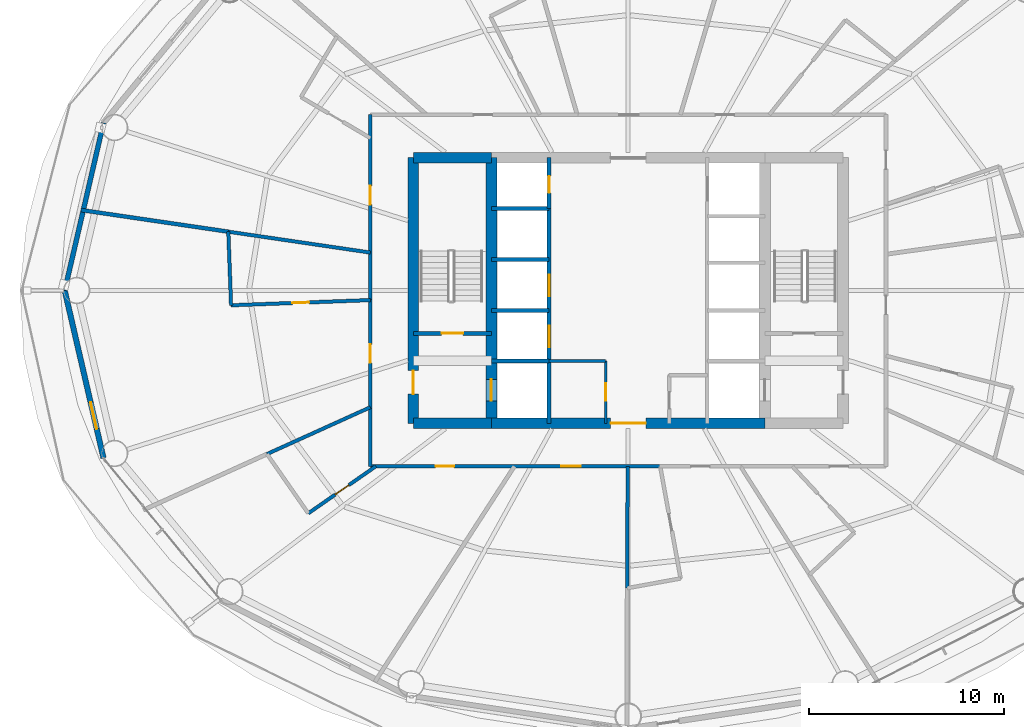
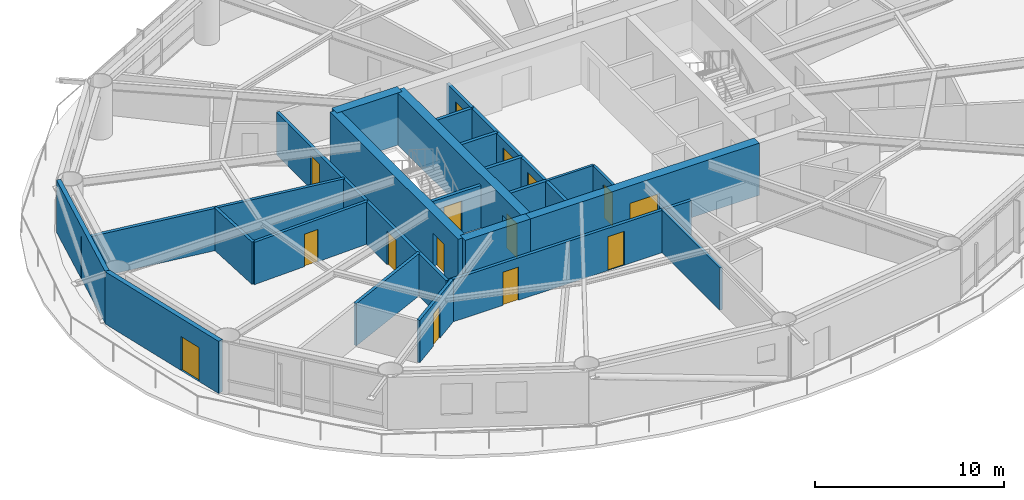
# One storey, part 18 of 24: 27 walls, 15 doors, 15 openings.
"""IFC4 building model written with IfcOpenShell, lengths in metres."""

import ifcopenshell
import ifcopenshell.guid

model = None  # the IFC model being written
_history = None  # IfcOwnerHistory: only IFC2X3 demands one
_inside = {}  # id of a spatial element -> (the spatial element, [elements in it])
_under = {}  # id of a project, library or spatial element -> (it, [spatial elements below it])
_declared = {}  # id of a project -> (the project, [libraries it declares])
_typed = {}  # id of a type object -> (the type object, [elements of that type])
_made_of = {}  # id of a material, layer set ... -> (it, [elements and type objects made of it])


def new_model(schema):
    """Start an empty IFC model of exactly this schema.

    Asked for "IFC4X3", IfcOpenShell would pick the latest addendum, in which some entities
    have other attributes; the version numbers below select the first issue.
    IFC2X3 requires an IfcOwnerHistory on every rooted entity: one is made here for all.
    """
    global model, _history
    if schema == "IFC4X3":
        model = ifcopenshell.file(schema_version=(4, 3, 0, 0))
    else:
        model = ifcopenshell.file(schema=schema)
    _inside.clear()
    _under.clear()
    _declared.clear()
    _typed.clear()
    _made_of.clear()
    _history = None
    if model.schema == "IFC2X3":
        org = make("IfcOrganization", Name="unknown")
        user = make(
            "IfcPersonAndOrganization",
            ThePerson=make("IfcPerson", FamilyName="unknown"),
            TheOrganization=org,
        )
        app = make(
            "IfcApplication",
            ApplicationDeveloper=org,
            Version="unknown",
            ApplicationFullName="unknown",
            ApplicationIdentifier="unknown",
        )
        _history = make(
            "IfcOwnerHistory",
            OwningUser=user,
            OwningApplication=app,
            ChangeAction="ADDED",
            CreationDate=0,
        )
    return model


def make(cls, **values):
    """One entity of the class cls with the attributes given. An attribute that is None is left unset."""
    return model.create_entity(
        cls, **{name: value for name, value in values.items() if value is not None}
    )


def rooted(cls, **values):
    """An entity with a GlobalId (a new one), such as an element, a storey or a relation."""
    return make(cls, GlobalId=ifcopenshell.guid.new(), OwnerHistory=_history, **values)


def si_unit(unit_type, name, prefix=None):
    """IfcSIUnit, for example si_unit("LENGTHUNIT", "METRE", prefix="MILLI")."""
    return make("IfcSIUnit", UnitType=unit_type, Prefix=prefix, Name=name)


def assignment(units):
    """IfcUnitAssignment: the units of a project."""
    return None if units is None else make("IfcUnitAssignment", Units=units)


def point(xyz):
    """IfcCartesianPoint."""
    return None if xyz is None else make("IfcCartesianPoint", Coordinates=xyz)


def direction(xyz):
    """IfcDirection."""
    return None if xyz is None else make("IfcDirection", DirectionRatios=xyz)


def frame(location, z_axis=None, x_axis=None):
    """IfcAxis2Placement3D, a coordinate frame: its origin and axes. An axis left out is left unset."""
    return make(
        "IfcAxis2Placement3D",
        Location=point(location),
        Axis=direction(z_axis),
        RefDirection=direction(x_axis),
    )


def frame_2d(location, x_axis=None):
    """IfcAxis2Placement2D, a coordinate frame in the plane: its origin and x axis."""
    return make(
        "IfcAxis2Placement2D", Location=point(location), RefDirection=direction(x_axis)
    )


def origin():
    """The frame at (0, 0, 0) with its axes left unset."""
    return frame((0.0, 0.0, 0.0))


def place(relative_to, where):
    """IfcLocalPlacement: puts the frame where relative to a parent placement (None: the world)."""
    return make(
        "IfcLocalPlacement", PlacementRelTo=relative_to, RelativePlacement=where
    )


def context(
    kind, dimensions, precision=None, world=None, true_north=None, identifier=None
):
    """IfcGeometricRepresentationContext, for example the 3D "Model" context."""
    return make(
        "IfcGeometricRepresentationContext",
        ContextIdentifier=identifier,
        ContextType=kind,
        CoordinateSpaceDimension=dimensions,
        Precision=precision,
        WorldCoordinateSystem=world,
        TrueNorth=true_north,
    )


def subcontext(parent, identifier, kind, view, scale=None):
    """IfcGeometricRepresentationSubContext, for example "Body" below "Model"."""
    return make(
        "IfcGeometricRepresentationSubContext",
        ContextIdentifier=identifier,
        ContextType=kind,
        ParentContext=parent,
        TargetScale=scale,
        TargetView=view,
    )


def project(units=None, contexts=None):
    """IfcProject with its units and contexts."""
    return rooted(
        "IfcProject",
        Name="project",
        RepresentationContexts=contexts,
        UnitsInContext=assignment(units),
    )


def spatial(cls, under=None, at=None, **own):
    """A site, building, storey or space (cls), placed at a placement, below another one or the project."""
    s = rooted(cls, ObjectPlacement=at, **own)
    if under is not None:
        _under.setdefault(under.id(), (under, []))[1].append(s)
    return s


def profile(cls, at=None, kind="AREA", **sizes):
    """A parametric profile (cls). Its sizes go by their IFC names, for example OverallWidth=200.0."""
    return make(cls, ProfileType=kind, Position=at, **sizes)


def rectangle(**sizes):
    """IfcRectangleProfileDef."""
    return profile("IfcRectangleProfileDef", **sizes)


def extrude(swept, where, along, depth):
    """IfcExtrudedAreaSolid: the profile swept, set in the frame where, extruded along a direction by depth."""
    return make(
        "IfcExtrudedAreaSolid",
        SweptArea=swept,
        Position=where,
        ExtrudedDirection=direction(along),
        Depth=depth,
    )


def shape(context_of_items, identifier, shape_type, items):
    """IfcShapeRepresentation: the items that make up one representation, for example the "Body"."""
    return make(
        "IfcShapeRepresentation",
        ContextOfItems=context_of_items,
        RepresentationIdentifier=identifier,
        RepresentationType=shape_type,
        Items=items,
    )


def material(Name=None, Category=None):
    """IfcMaterial."""
    return make("IfcMaterial", Name=Name, Category=Category)


def layer(
    of_material, thickness, ventilated=None, Name=None, Category=None, Priority=None
):
    """IfcMaterialLayer: one layer of a wall or slab, of a material (None: an air gap)."""
    return make(
        "IfcMaterialLayer",
        Material=of_material,
        LayerThickness=thickness,
        IsVentilated=ventilated,
        Name=Name,
        Category=Category,
        Priority=Priority,
    )


def layer_set(layers, Name=None):
    """IfcMaterialLayerSet."""
    return make("IfcMaterialLayerSet", MaterialLayers=layers, LayerSetName=Name)


def made_of(thing, what):
    """Note that an element or type object is made of a material, layer set ...; save() writes the relation."""
    if what is not None:
        _made_of.setdefault(what.id(), (what, []))[1].append(thing)
    return thing


def type_object(cls, material=None, **own):
    """A type object (cls), such as IfcWallType, which elements share."""
    return made_of(rooted(cls, **own), material)


def element(
    cls,
    number,
    at=None,
    inside=None,
    cuts=None,
    type_object=None,
    material=None,
    context=None,
    identifier="Body",
    shape_type=None,
    held_by="IfcProductDefinitionShape",
    body=None,
    shapes=None,
    **own,
):
    """One element of the class cls, such as IfcWall. Its Tag is "e" and its number.

    at: its placement. inside: the storey or other place that contains it. cuts: it is an
    opening in that element (IfcRelVoidsElement). A single representation is given by context,
    identifier, shape_type and body (its items); several are given by shapes. held_by: the class
    of the entity that holds the representations. save() writes the other relations.
    """
    e = rooted(cls, Tag="e%d" % number, ObjectPlacement=at, **own)
    if body is not None:
        shapes = [shape(context, identifier, shape_type, body)]
    if shapes is not None:
        e.Representation = make(held_by, Representations=shapes)
    if inside is not None:
        _inside.setdefault(inside.id(), (inside, []))[1].append(e)
    if cuts is not None:
        rooted(
            "IfcRelVoidsElement", RelatingBuildingElement=cuts, RelatedOpeningElement=e
        )
    if type_object is not None:
        _typed.setdefault(type_object.id(), (type_object, []))[1].append(e)
    return made_of(e, material)


def fill(opening, filler):
    """IfcRelFillsElement: the door or window that sits in an opening."""
    return rooted(
        "IfcRelFillsElement",
        RelatingOpeningElement=opening,
        RelatedBuildingElement=filler,
    )


def aggregate(whole, parts):
    """IfcRelAggregates: a whole, such as a stair, and the parts it consists of."""
    return rooted("IfcRelAggregates", RelatingObject=whole, RelatedObjects=parts)


def save(model, path):
    """Write the relations noted so far, then the file.

    IfcRelAggregates (storeys below a building ...), IfcRelContainedInSpatialStructure (elements
    in a storey), IfcRelDefinesByType, IfcRelAssociatesMaterial and IfcRelDeclares: one each for
    every whole, place, type object, material and project.
    """
    for whole, parts in _under.values():
        aggregate(whole, parts)
    for where, things in _inside.values():
        rooted(
            "IfcRelContainedInSpatialStructure",
            RelatedElements=things,
            RelatingStructure=where,
        )
    for kind, things in _typed.values():
        rooted("IfcRelDefinesByType", RelatedObjects=things, RelatingType=kind)
    for what, things in _made_of.values():
        rooted("IfcRelAssociatesMaterial", RelatedObjects=things, RelatingMaterial=what)
    for by, libraries in _declared.values():
        rooted("IfcRelDeclares", RelatingContext=by, RelatedDefinitions=libraries)
    model.write(path)


model = new_model("IFC4")

# Units and contexts
model_context = context("Model", 3, precision=1e-05, world=origin(), true_north=direction((0.0, 1.0)))
body_context = subcontext(model_context, "Body", "Model", "MODEL_VIEW")
ifc_project = project(units=[si_unit("LENGTHUNIT", "METRE"), si_unit("AREAUNIT", "SQUARE_METRE"), si_unit("VOLUMEUNIT", "CUBIC_METRE"), si_unit("PLANEANGLEUNIT", "RADIAN"), si_unit("MASSUNIT", "GRAM", prefix="KILO")], contexts=[model_context])

# Site, building, storey
site_placement = place(None, origin())
site = spatial("IfcSite", under=ifc_project, at=site_placement, CompositionType="ELEMENT")
building_placement = place(site_placement, origin())
building = spatial("IfcBuilding", under=site, at=building_placement, Name="Sarneth Arch Tower", CompositionType="ELEMENT")
storey_placement = place(building_placement, frame((0.0, 0.0, 123.60009765625)))
storey = spatial("IfcBuildingStorey", under=building, at=storey_placement, Name="L31", CompositionType="ELEMENT", Elevation=123.60009765625)

# Wall
ifc_material_1 = material(Name="Concrete C60/75", Category="concrete")
ifc_layer_1 = layer(ifc_material_1, 0.550048828125)
ifc_layer_set_1 = layer_set([ifc_layer_1], Name="Concrete C60/75")
wall_type_1 = type_object("IfcWallType", Name="WALL-CORE-550", PredefinedType="SHEAR", material=ifc_layer_set_1)
wall_1_placement = place(storey_placement, frame((37.0, 35.199951171875, 0.0), z_axis=(0.0, 0.0, 1.0), x_axis=(1.0, 0.0, 0.0)))
element("IfcWall", 1, at=wall_1_placement, inside=storey, type_object=wall_type_1, Name="L31 Core shear wall S-W", PredefinedType="SHEAR", context=body_context, shape_type="SweptSolid", body=[
    extrude(rectangle(XDim=4.0, YDim=0.550048828125, at=frame_2d((2.0, 0.0))), origin(), (0.0, 0.0, 1.0), 3.3798828125),
])

# Wall, opening, door
wall_2_placement = place(storey_placement, frame((41.0, 35.199951171875, 0.0), z_axis=(0.0, 0.0, 1.0), x_axis=(1.0, 0.0, 0.0)))
wall_2 = element("IfcWall", 2, at=wall_2_placement, inside=storey, type_object=wall_type_1, Name="L31 Core shear wall S-M", PredefinedType="SHEAR", context=body_context, shape_type="SweptSolid", body=[
    extrude(rectangle(XDim=14.0, YDim=0.550048828125, at=frame_2d((7.0, 0.0))), origin(), (0.0, 0.0, 1.0), 3.3798828125),
])
opening_1_placement = place(wall_2_placement, frame((6.10009765625, 0.0, 0.0)))
opening_1 = element("IfcOpeningElement", 3, at=opening_1_placement, cuts=wall_2, Name="Opening FD-01", PredefinedType="OPENING", context=body_context, shape_type="SweptSolid", body=[
    extrude(rectangle(XDim=1.800048828125, YDim=2.25, at=frame_2d((0.89990234375, 1.125))), frame((0.0, 0.284912109375, 0.0), z_axis=(0.0, -1.0, 0.0), x_axis=(1.0, 0.0, 0.0)), (0.0, 0.0, 1.0), 0.570068359375),
])
ifc_material_2 = material(Name="Galvanised Steel S275 fire door set", Category="steel")
door_type_1 = type_object("IfcDoorType", Name="DR-FD90-1800", OperationType="DOUBLE_DOOR_SINGLE_SWING", PredefinedType="DOOR", material=ifc_material_2)
door_1_placement = place(opening_1_placement, origin())
door_1 = element("IfcDoor", 4, at=door_1_placement, inside=storey, type_object=door_type_1, Name="L31 Central lift lobby south door", OperationType="DOUBLE_DOOR_SINGLE_SWING", OverallHeight=2.25, OverallWidth=1.800048828125, PredefinedType="DOOR", context=body_context, shape_type="SweptSolid", body=[
    extrude(rectangle(XDim=1.800048828125, YDim=2.25, at=frame_2d((0.89990234375, 1.125))), frame((0.0, 0.02490234375, 0.0), z_axis=(0.0, -1.0, 0.0), x_axis=(1.0, 0.0, 0.0)), (0.0, 0.0, 1.0), 0.050048828125),
])
fill(opening_1, door_1)

# Wall
wall_3_placement = place(storey_placement, frame((37.0, 48.800048828125, 0.0), z_axis=(0.0, 0.0, 1.0), x_axis=(1.0, 0.0, 0.0)))
element("IfcWall", 5, at=wall_3_placement, inside=storey, type_object=wall_type_1, Name="L31 Core shear wall N-W", PredefinedType="SHEAR", context=body_context, shape_type="SweptSolid", body=[
    extrude(rectangle(XDim=4.0, YDim=0.550048828125, at=frame_2d((2.0, 0.0))), origin(), (0.0, 0.0, 1.0), 3.3798828125),
])

# Wall, opening, door
wall_4_placement = place(storey_placement, frame((37.0, 35.199951171875, 0.0), z_axis=(0.0, 0.0, 1.0), x_axis=(0.0, 1.0, 0.0)))
wall_4 = element("IfcWall", 6, at=wall_4_placement, inside=storey, type_object=wall_type_1, Name="L31 Core shear wall W", PredefinedType="SHEAR", context=body_context, shape_type="SweptSolid", body=[
    extrude(rectangle(XDim=13.60009765625, YDim=0.550048828125, at=frame_2d((6.800048828125, 0.0))), origin(), (0.0, 0.0, 1.0), 3.3798828125),
])
opening_2_placement = place(wall_4_placement, frame((1.5, 0.0, 0.0)))
opening_2 = element("IfcOpeningElement", 7, at=opening_2_placement, cuts=wall_4, Name="Opening FD-02", PredefinedType="OPENING", context=body_context, shape_type="SweptSolid", body=[
    extrude(rectangle(XDim=1.199951171875, YDim=2.14990234375, at=frame_2d((0.60009765625, 1.074951171875))), frame((0.0, 0.284912109375, 0.0), z_axis=(0.0, -1.0, 0.0), x_axis=(1.0, 0.0, 0.0)), (0.0, 0.0, 1.0), 0.570068359375),
])
ifc_material_3 = material(Name="Galvanised Steel S275 fire door set", Category="steel")
door_type_2 = type_object("IfcDoorType", Name="DR-FD90-1200", OperationType="SINGLE_SWING_LEFT", PredefinedType="DOOR", material=ifc_material_3)
door_2_placement = place(opening_2_placement, origin())
door_2 = element("IfcDoor", 8, at=door_2_placement, inside=storey, type_object=door_type_2, Name="L31 Firefighting lobby 1 exit door", OperationType="SINGLE_SWING_LEFT", OverallHeight=2.14990234375, OverallWidth=1.199951171875, PredefinedType="DOOR", context=body_context, shape_type="SweptSolid", body=[
    extrude(rectangle(XDim=1.199951171875, YDim=2.14990234375, at=frame_2d((0.60009765625, 1.074951171875))), frame((0.0, 0.02490234375, 0.0), z_axis=(0.0, -1.0, 0.0), x_axis=(1.0, 0.0, 0.0)), (0.0, 0.0, 1.0), 0.050048828125),
])
fill(opening_2, door_2)

wall_5_placement = place(storey_placement, frame((41.0, 35.199951171875, 0.0), z_axis=(0.0, 0.0, 1.0), x_axis=(0.0, 1.0, 0.0)))
wall_5 = element("IfcWall", 9, at=wall_5_placement, inside=storey, type_object=wall_type_1, Name="L31 Core shear wall WEB-W", PredefinedType="SHEAR", context=body_context, shape_type="SweptSolid", body=[
    extrude(rectangle(XDim=13.60009765625, YDim=0.550048828125, at=frame_2d((6.800048828125, 0.0))), origin(), (0.0, 0.0, 1.0), 3.3798828125),
])
opening_3_placement = place(wall_5_placement, frame((1.14990234375, 0.0, 0.0)))
opening_3 = element("IfcOpeningElement", 10, at=opening_3_placement, cuts=wall_5, Name="Opening LD-1", PredefinedType="OPENING", context=body_context, shape_type="SweptSolid", body=[
    extrude(rectangle(XDim=1.10009765625, YDim=2.199951171875, at=frame_2d((0.550048828125, 1.10009765625))), frame((0.0, 0.284912109375, 0.0), z_axis=(0.0, -1.0, 0.0), x_axis=(1.0, 0.0, 0.0)), (0.0, 0.0, 1.0), 0.570068359375),
])
ifc_material_4 = material(Name="Brushed Stainless Steel 304 lift landing door", Category="steel")
door_type_3 = type_object("IfcDoorType", Name="DR-LIFT-SLIDE-1100", OperationType="SLIDING_TO_LEFT", PredefinedType="DOOR", material=ifc_material_4)
door_3_placement = place(opening_3_placement, origin())
door_3 = element("IfcDoor", 11, at=door_3_placement, inside=storey, type_object=door_type_3, Name="L31 Firefighting lift landing door FL-1", OperationType="SLIDING_TO_LEFT", OverallHeight=2.199951171875, OverallWidth=1.10009765625, PredefinedType="DOOR", context=body_context, shape_type="SweptSolid", body=[
    extrude(rectangle(XDim=1.10009765625, YDim=2.199951171875, at=frame_2d((0.550048828125, 1.10009765625))), frame((0.0, 0.02490234375, 0.0), z_axis=(0.0, -1.0, 0.0), x_axis=(1.0, 0.0, 0.0)), (0.0, 0.0, 1.0), 0.050048828125),
])
fill(opening_3, door_3)

# Wall, openings, doors
ifc_material_5 = material(Name="Double steel-stud corridor fire wall", Category="steel")
ifc_layer_2 = layer(ifc_material_5, 0.18994140625)
ifc_layer_set_2 = layer_set([ifc_layer_2], Name="Double steel-stud corridor fire wall")
wall_type_2 = type_object("IfcWallType", Name="WALL-CORR-190", PredefinedType="PARTITIONING", material=ifc_layer_set_2)
wall_6_placement = place(storey_placement, frame((49.6708984375, 33.0, 0.0), z_axis=(0.0, 0.0, 1.0), x_axis=(-1.0, 0.0, 0.0)))
wall_6 = element("IfcWall", 12, at=wall_6_placement, inside=storey, type_object=wall_type_2, Name="L31 Interior partition W-L31-TP-014", PredefinedType="PARTITIONING", context=body_context, shape_type="SweptSolid", body=[
    extrude(rectangle(XDim=14.870849609375, YDim=0.18994140625, at=frame_2d((7.435546875, 0.0))), origin(), (0.0, 0.0, 1.0), 2.739990234375),
])
opening_4_placement = place(wall_6_placement, frame((10.576416015625, 0.0, 0.0)))
opening_4 = element("IfcOpeningElement", 13, at=opening_4_placement, cuts=wall_6, Name="Opening FD-09", PredefinedType="OPENING", context=body_context, shape_type="SweptSolid", body=[
    extrude(rectangle(XDim=0.949951171875, YDim=2.14990234375, at=frame_2d((0.47509765625, 1.074951171875))), frame((0.0, 0.10498046875, 0.0), z_axis=(0.0, -1.0, 0.0), x_axis=(1.0, 0.0, 0.0)), (0.0, 0.0, 1.0), 0.2099609375),
])
opening_5_placement = place(wall_6_placement, frame((4.1005859375, 0.0, 0.0)))
opening_5 = element("IfcOpeningElement", 14, at=opening_5_placement, cuts=wall_6, Name="Opening FD-08", PredefinedType="OPENING", context=body_context, shape_type="SweptSolid", body=[
    extrude(rectangle(XDim=1.0, YDim=2.199951171875, at=frame_2d((0.5, 1.10009765625))), frame((0.0, 0.10498046875, 0.0), z_axis=(0.0, -1.0, 0.0), x_axis=(1.0, 0.0, 0.0)), (0.0, 0.0, 1.0), 0.2099609375),
])
ifc_material_6 = material(Name="Hardwood timber acoustic fire door", Category="wood")
door_type_4 = type_object("IfcDoorType", Name="DR-FD60-1000", OperationType="SINGLE_SWING_LEFT", PredefinedType="DOOR", material=ifc_material_6)
door_4_placement = place(opening_5_placement, origin())
door_4 = element("IfcDoor", 15, at=door_4_placement, inside=storey, type_object=door_type_4, Name="L31 Interior door DR-L31-AMN-08", OperationType="SINGLE_SWING_LEFT", OverallHeight=2.199951171875, OverallWidth=1.0, PredefinedType="DOOR", context=body_context, shape_type="SweptSolid", body=[
    extrude(rectangle(XDim=1.0, YDim=2.199951171875, at=frame_2d((0.5, 1.10009765625))), frame((0.0, 0.02490234375, 0.0), z_axis=(0.0, -1.0, 0.0), x_axis=(1.0, 0.0, 0.0)), (0.0, 0.0, 1.0), 0.050048828125),
])
fill(opening_5, door_4)
ifc_material_7 = material(Name="Hardwood timber hotel entrance fire door", Category="wood")
door_type_5 = type_object("IfcDoorType", Name="DR-FD60-950", OperationType="SINGLE_SWING_RIGHT", PredefinedType="DOOR", material=ifc_material_7)
door_5_placement = place(opening_4_placement, origin())
door_5 = element("IfcDoor", 16, at=door_5_placement, inside=storey, type_object=door_type_5, Name="L31 Interior door DR-L31-KEY-07", OperationType="SINGLE_SWING_RIGHT", OverallHeight=2.14990234375, OverallWidth=0.949951171875, PredefinedType="DOOR", context=body_context, shape_type="SweptSolid", body=[
    extrude(rectangle(XDim=0.949951171875, YDim=2.14990234375, at=frame_2d((0.47509765625, 1.074951171875))), frame((0.0, 0.02490234375, 0.0), z_axis=(0.0, -1.0, 0.0), x_axis=(1.0, 0.0, 0.0)), (0.0, 0.0, 1.0), 0.050048828125),
])
fill(opening_4, door_5)

# Wall, opening, door
wall_7_placement = place(storey_placement, frame((34.800048828125, 41.4755859375, 0.0), z_axis=(0.0, 0.0, 1.0), x_axis=(0.0, 1.0, 0.0)))
wall_7 = element("IfcWall", 17, at=wall_7_placement, inside=storey, type_object=wall_type_2, Name="L31 Interior partition W-L31-TP-009", PredefinedType="PARTITIONING", context=body_context, shape_type="SweptSolid", body=[
    extrude(rectangle(XDim=9.5244140625, YDim=0.18994140625, at=frame_2d((4.76220703125, 0.0))), origin(), (0.0, 0.0, 1.0), 2.739990234375),
])
opening_6_placement = place(wall_7_placement, frame((4.924072265625, 0.0, 0.0)))
opening_6 = element("IfcOpeningElement", 18, at=opening_6_placement, cuts=wall_7, Name="Opening FD-09", PredefinedType="OPENING", context=body_context, shape_type="SweptSolid", body=[
    extrude(rectangle(XDim=0.949951171875, YDim=2.14990234375, at=frame_2d((0.47509765625, 1.074951171875))), frame((0.0, 0.10498046875, 0.0), z_axis=(0.0, -1.0, 0.0), x_axis=(1.0, 0.0, 0.0)), (0.0, 0.0, 1.0), 0.2099609375),
])
door_6_placement = place(opening_6_placement, origin())
door_6 = element("IfcDoor", 19, at=door_6_placement, inside=storey, type_object=door_type_5, Name="L31 Interior door DR-L31-KEY-05", OperationType="SINGLE_SWING_LEFT", OverallHeight=2.14990234375, OverallWidth=0.949951171875, PredefinedType="DOOR", context=body_context, shape_type="SweptSolid", body=[
    extrude(rectangle(XDim=0.949951171875, YDim=2.14990234375, at=frame_2d((0.47509765625, 1.074951171875))), frame((0.0, 0.02490234375, 0.0), z_axis=(0.0, -1.0, 0.0), x_axis=(1.0, 0.0, 0.0)), (0.0, 0.0, 1.0), 0.050048828125),
])
fill(opening_6, door_6)

wall_8_placement = place(storey_placement, frame((34.800048828125, 33.0, 0.0), z_axis=(0.0, 0.0, 1.0), x_axis=(0.0, 1.0, 0.0)))
wall_8 = element("IfcWall", 20, at=wall_8_placement, inside=storey, type_object=wall_type_2, Name="L31 Interior partition W-L31-TP-012", PredefinedType="PARTITIONING", context=body_context, shape_type="SweptSolid", body=[
    extrude(rectangle(XDim=8.53955078125, YDim=0.18994140625, at=frame_2d((4.269775390625, 0.0))), origin(), (0.0, 0.0, 1.0), 2.739990234375),
])
opening_7_placement = place(wall_8_placement, frame((5.288330078125, 0.0, 0.0)))
opening_7 = element("IfcOpeningElement", 21, at=opening_7_placement, cuts=wall_8, Name="Opening FD-09", PredefinedType="OPENING", context=body_context, shape_type="SweptSolid", body=[
    extrude(rectangle(XDim=0.949951171875, YDim=2.14990234375, at=frame_2d((0.47509765625, 1.074951171875))), frame((0.0, 0.10498046875, 0.0), z_axis=(0.0, -1.0, 0.0), x_axis=(1.0, 0.0, 0.0)), (0.0, 0.0, 1.0), 0.2099609375),
])
door_7_placement = place(opening_7_placement, origin())
door_7 = element("IfcDoor", 22, at=door_7_placement, inside=storey, type_object=door_type_5, Name="L31 Interior door DR-L31-KEY-06", OperationType="SINGLE_SWING_RIGHT", OverallHeight=2.14990234375, OverallWidth=0.949951171875, PredefinedType="DOOR", context=body_context, shape_type="SweptSolid", body=[
    extrude(rectangle(XDim=0.949951171875, YDim=2.14990234375, at=frame_2d((0.47509765625, 1.074951171875))), frame((0.0, 0.02490234375, 0.0), z_axis=(0.0, -1.0, 0.0), x_axis=(1.0, 0.0, 0.0)), (0.0, 0.0, 1.0), 0.050048828125),
])
fill(opening_7, door_7)

# Wall
ifc_material_8 = material(Name="Extruded terracotta rainscreen on Concrete C40/50 backing", Category="masonry")
ifc_layer_3 = layer(ifc_material_8, 0.25)
ifc_layer_set_3 = layer_set([ifc_layer_3], Name="Extruded terracotta rainscreen on Concrete C40/50 backing")
wall_type_3 = type_object("IfcWallType", Name="WALL-EXT-SPAND-250", PredefinedType="SOLIDWALL", material=ifc_layer_set_3)
wall_9_placement = place(storey_placement, frame((21.138671875, 50.58349609375, 0.0), z_axis=(0.0, 0.0, 1.0), x_axis=(-0.22558597182, -0.974223264616, 0.0)))
element("IfcWall", 23, at=wall_9_placement, inside=storey, type_object=wall_type_3, Name="L31 Terracotta perimeter wall 08", PredefinedType="SOLIDWALL", context=body_context, shape_type="SweptSolid", body=[
    extrude(rectangle(XDim=8.810546875, YDim=0.25, at=frame_2d((4.4052734375, 0.0))), origin(), (0.0, 0.0, 1.0), 3.3798828125),
])

# Wall, opening, door
ifc_material_9 = material(Name="Extruded terracotta rainscreen on Concrete C40/50 backing", Category="masonry")
ifc_layer_4 = layer(ifc_material_9, 0.280029296875)
ifc_layer_set_4 = layer_set([ifc_layer_4], Name="Extruded terracotta rainscreen on Concrete C40/50 backing")
wall_type_4 = type_object("IfcWallType", Name="WALL-EXT-TERRA-280", PredefinedType="SOLIDWALL", material=ifc_layer_set_4)
wall_10_placement = place(storey_placement, frame((19.151123046875, 42.0, 0.0), z_axis=(0.0, 0.0, 1.0), x_axis=(0.22558597182, -0.974223264616, 0.0)))
wall_10 = element("IfcWall", 24, at=wall_10_placement, inside=storey, type_object=wall_type_4, Name="L31 Terracotta perimeter wall 09", PredefinedType="SOLIDWALL", context=body_context, shape_type="SweptSolid", body=[
    extrude(rectangle(XDim=8.810546875, YDim=0.280029296875, at=frame_2d((4.4052734375, 0.0))), origin(), (0.0, 0.0, 1.0), 3.3798828125),
])
opening_8_placement = place(wall_10_placement, frame((5.87451171875, 0.0, 0.0)))
opening_8 = element("IfcOpeningElement", 25, at=opening_8_placement, cuts=wall_10, Name="Opening BD-2", PredefinedType="OPENING", context=body_context, shape_type="SweptSolid", body=[
    extrude(rectangle(XDim=1.39990234375, YDim=2.199951171875, at=frame_2d((0.699951171875, 1.10009765625))), frame((0.0, 0.14990234375, 0.0), z_axis=(0.0, -1.0, 0.0), x_axis=(1.0, 0.0, 0.0)), (0.0, 0.0, 1.0), 0.300048828125),
])
ifc_material_10 = material(Name="Thermally broken Aluminium 6063-T6 and laminated safety glass", Category="aluminium")
door_type_6 = type_object("IfcDoorType", Name="DR-BALC-GLZ-1400", OperationType="SINGLE_SWING_LEFT", PredefinedType="DOOR", material=ifc_material_10)
door_8_placement = place(opening_8_placement, origin())
door_8 = element("IfcDoor", 26, at=door_8_placement, inside=storey, type_object=door_type_6, Name="L31 Balcony glazed door 09", OperationType="SINGLE_SWING_LEFT", OverallHeight=2.199951171875, OverallWidth=1.39990234375, PredefinedType="DOOR", context=body_context, shape_type="SweptSolid", body=[
    extrude(rectangle(XDim=1.39990234375, YDim=2.199951171875, at=frame_2d((0.699951171875, 1.10009765625))), frame((0.0, 0.02490234375, 0.0), z_axis=(0.0, -1.0, 0.0), x_axis=(1.0, 0.0, 0.0)), (0.0, 0.0, 1.0), 0.050048828125),
])
fill(opening_8, door_8)

# Wall
ifc_material_11 = material(Name="Acoustic gypsum stud partition", Category="gypsum")
ifc_layer_5 = layer(ifc_material_11, 0.14990234375)
ifc_layer_set_5 = layer_set([ifc_layer_5], Name="Acoustic gypsum stud partition")
wall_type_5 = type_object("IfcWallType", Name="WALL-PART-150", PredefinedType="PARTITIONING", material=ifc_layer_set_5)
wall_11_placement = place(storey_placement, frame((43.949951171875, 38.39990234375, 0.0), z_axis=(0.0, 0.0, 1.0), x_axis=(1.0, 0.0, 0.0)))
element("IfcWall", 27, at=wall_11_placement, inside=storey, type_object=wall_type_5, Name="L31 Interior partition W-L31-CSUP1-N", PredefinedType="PARTITIONING", context=body_context, shape_type="SweptSolid", body=[
    extrude(rectangle(XDim=2.900146484375, YDim=0.14990234375, at=frame_2d((1.4501953125, 0.0))), origin(), (0.0, 0.0, 1.0), 2.739990234375),
])

# Wall, opening, door
wall_12_placement = place(storey_placement, frame((46.85009765625, 35.199951171875, 0.0), z_axis=(0.0, 0.0, 1.0), x_axis=(0.0, 1.0, 0.0)))
wall_12 = element("IfcWall", 28, at=wall_12_placement, inside=storey, type_object=wall_type_5, Name="L31 Interior partition W-L31-CSUP1-E", PredefinedType="PARTITIONING", context=body_context, shape_type="SweptSolid", body=[
    extrude(rectangle(XDim=3.199951171875, YDim=0.14990234375, at=frame_2d((1.60009765625, 0.0))), origin(), (0.0, 0.0, 1.0), 2.739990234375),
])
opening_9_placement = place(wall_12_placement, frame((1.14990234375, 0.0, 0.0)))
opening_9 = element("IfcOpeningElement", 29, at=opening_9_placement, cuts=wall_12, Name="Opening FD-10", PredefinedType="OPENING", context=body_context, shape_type="SweptSolid", body=[
    extrude(rectangle(XDim=0.89990234375, YDim=2.14990234375, at=frame_2d((0.449951171875, 1.074951171875))), frame((0.0, 0.0849609375, 0.0), z_axis=(0.0, -1.0, 0.0), x_axis=(1.0, 0.0, 0.0)), (0.0, 0.0, 1.0), 0.169921875),
])
ifc_material_12 = material(Name="Galvanised Steel S275 riser/service fire door", Category="steel")
door_type_7 = type_object("IfcDoorType", Name="DR-FD60-900", OperationType="SINGLE_SWING_LEFT", PredefinedType="DOOR", material=ifc_material_12)
door_9_placement = place(opening_9_placement, origin())
door_9 = element("IfcDoor", 30, at=door_9_placement, inside=storey, type_object=door_type_7, Name="L31 Interior door DR-L31-CSUP1", OperationType="SINGLE_SWING_LEFT", OverallHeight=2.14990234375, OverallWidth=0.89990234375, PredefinedType="DOOR", context=body_context, shape_type="SweptSolid", body=[
    extrude(rectangle(XDim=0.89990234375, YDim=2.14990234375, at=frame_2d((0.449951171875, 1.074951171875))), frame((0.0, 0.02490234375, 0.0), z_axis=(0.0, -1.0, 0.0), x_axis=(1.0, 0.0, 0.0)), (0.0, 0.0, 1.0), 0.050048828125),
])
fill(opening_9, door_9)

# Wall
ifc_material_13 = material(Name="Moisture-resistant plumbing chase wall", Category="gypsum")
ifc_layer_6 = layer(ifc_material_13, 0.179931640625)
ifc_layer_set_6 = layer_set([ifc_layer_6], Name="Moisture-resistant plumbing chase wall")
wall_type_6 = type_object("IfcWallType", Name="WALL-PLUMB-180", PredefinedType="PLUMBINGWALL", material=ifc_layer_set_6)
wall_13_placement = place(storey_placement, frame((27.5283203125, 45.009765625, 0.0), z_axis=(0.0, 0.0, 1.0), x_axis=(0.989364619243, -0.145456695238, 0.0)))
element("IfcWall", 31, at=wall_13_placement, inside=storey, type_object=wall_type_6, Name="L31 Interior partition W-L31-TP-043", PredefinedType="PLUMBINGWALL", context=body_context, shape_type="SweptSolid", body=[
    extrude(rectangle(XDim=7.349853515625, YDim=0.179931640625, at=frame_2d((3.6748046875, 0.0))), origin(), (0.0, 0.0, 1.0), 2.739990234375),
])

# Wall, opening, door
wall_14_placement = place(storey_placement, frame((34.800048828125, 41.507568359375, 0.0), z_axis=(0.0, 0.0, 1.0), x_axis=(-0.999305711591, -0.037257144028, 0.0)))
wall_14 = element("IfcWall", 32, at=wall_14_placement, inside=storey, type_object=wall_type_6, Name="L31 Interior partition W-L31-TP-044", PredefinedType="PLUMBINGWALL", context=body_context, shape_type="SweptSolid", body=[
    extrude(rectangle(XDim=7.135986328125, YDim=0.179931640625, at=frame_2d((3.56787109375, 0.0))), origin(), (0.0, 0.0, 1.0), 2.739990234375),
])
opening_10_placement = place(wall_14_placement, frame((3.14306640625, 0.0, 0.0)))
opening_10 = element("IfcOpeningElement", 33, at=opening_10_placement, cuts=wall_14, Name="Opening ID-02", PredefinedType="OPENING", context=body_context, shape_type="SweptSolid", body=[
    extrude(rectangle(XDim=0.85009765625, YDim=2.10009765625, at=frame_2d((0.425048828125, 1.050048828125))), frame((0.0, 0.099853515625, 0.0), z_axis=(0.0, -1.0, 0.0), x_axis=(1.0, 0.0, 0.0)), (0.0, 0.0, 1.0), 0.199951171875),
])
ifc_material_14 = material(Name="Moisture-resistant bathroom timber door", Category="wood")
door_type_8 = type_object("IfcDoorType", Name="DR-INT-850", OperationType="SINGLE_SWING_RIGHT", PredefinedType="DOOR", material=ifc_material_14)
door_10_placement = place(opening_10_placement, origin())
door_10 = element("IfcDoor", 34, at=door_10_placement, inside=storey, type_object=door_type_8, Name="L31 Interior door DR-L31-ENS-06", OperationType="SINGLE_SWING_RIGHT", OverallHeight=2.10009765625, OverallWidth=0.85009765625, PredefinedType="DOOR", context=body_context, shape_type="SweptSolid", body=[
    extrude(rectangle(XDim=0.85009765625, YDim=2.10009765625, at=frame_2d((0.425048828125, 1.050048828125))), frame((0.0, 0.02490234375, 0.0), z_axis=(0.0, -1.0, 0.0), x_axis=(1.0, 0.0, 0.0)), (0.0, 0.0, 1.0), 0.050048828125),
])
fill(opening_10, door_10)

# Walls
wall_15_placement = place(storey_placement, frame((47.95166015625, 26.75830078125, 0.0), z_axis=(0.0, 0.0, 1.0), x_axis=(0.003168254458, 0.999994981069, 0.0)))
element("IfcWall", 35, at=wall_15_placement, inside=storey, type_object=wall_type_6, Name="L31 Interior partition W-L31-TP-052", PredefinedType="PLUMBINGWALL", context=body_context, shape_type="SweptSolid", body=[
    extrude(rectangle(XDim=6.24169921875, YDim=0.179931640625, at=frame_2d((3.120849609375, 0.0))), origin(), (0.0, 0.0, 1.0), 2.739990234375),
])
wall_16_placement = place(storey_placement, frame((29.507080078125, 33.62548828125, 0.0), z_axis=(0.0, 0.0, 1.0), x_axis=(0.910959840523, 0.412495053248, 0.0)))
element("IfcWall", 36, at=wall_16_placement, inside=storey, type_object=wall_type_6, Name="L31 Interior partition W-L31-TP-047", PredefinedType="PLUMBINGWALL", context=body_context, shape_type="SweptSolid", body=[
    extrude(rectangle(XDim=5.810302734375, YDim=0.179931640625, at=frame_2d((2.9052734375, 0.0))), origin(), (0.0, 0.0, 1.0), 2.739990234375),
])

# Wall, opening, door
wall_17_placement = place(storey_placement, frame((35.081298828125, 33.0, 0.0), z_axis=(0.0, 0.0, 1.0), x_axis=(-0.820508449427, -0.571634397512, 0.0)))
wall_17 = element("IfcWall", 37, at=wall_17_placement, inside=storey, type_object=wall_type_6, Name="L31 Interior partition W-L31-TP-048", PredefinedType="PLUMBINGWALL", context=body_context, shape_type="SweptSolid", body=[
    extrude(rectangle(XDim=4.21630859375, YDim=0.179931640625, at=frame_2d((2.108154296875, 0.0))), origin(), (0.0, 0.0, 1.0), 2.739990234375),
])
opening_11_placement = place(wall_17_placement, frame((1.68310546875, 0.0, 0.0)))
opening_11 = element("IfcOpeningElement", 38, at=opening_11_placement, cuts=wall_17, Name="Opening ID-02", PredefinedType="OPENING", context=body_context, shape_type="SweptSolid", body=[
    extrude(rectangle(XDim=0.85009765625, YDim=2.10009765625, at=frame_2d((0.425048828125, 1.050048828125))), frame((0.0, 0.099853515625, 0.0), z_axis=(0.0, -1.0, 0.0), x_axis=(1.0, 0.0, 0.0)), (0.0, 0.0, 1.0), 0.199951171875),
])
door_11_placement = place(opening_11_placement, origin())
door_11 = element("IfcDoor", 39, at=door_11_placement, inside=storey, type_object=door_type_8, Name="L31 Interior door DR-L31-ENS-07", OperationType="SINGLE_SWING_RIGHT", OverallHeight=2.10009765625, OverallWidth=0.85009765625, PredefinedType="DOOR", context=body_context, shape_type="SweptSolid", body=[
    extrude(rectangle(XDim=0.85009765625, YDim=2.10009765625, at=frame_2d((0.425048828125, 1.050048828125))), frame((0.0, 0.02490234375, 0.0), z_axis=(0.0, -1.0, 0.0), x_axis=(1.0, 0.0, 0.0)), (0.0, 0.0, 1.0), 0.050048828125),
])
fill(opening_11, door_11)

# Wall
wall_18_placement = place(storey_placement, frame((27.6689453125, 41.24169921875, 0.0), z_axis=(0.0, 0.0, 1.0), x_axis=(-0.037294239527, 0.999304327869, 0.0)))
element("IfcWall", 40, at=wall_18_placement, inside=storey, type_object=wall_type_6, Name="L31 Interior partition W-L31-TP-045", PredefinedType="PLUMBINGWALL", context=body_context, shape_type="SweptSolid", body=[
    extrude(rectangle(XDim=3.770751953125, YDim=0.179931640625, at=frame_2d((1.88525390625, 0.0))), origin(), (0.0, 0.0, 1.0), 2.739990234375),
])

# Wall, opening, door
ifc_material_15 = material(Name="Aerated concrete blockwork C25/30", Category="masonry")
ifc_layer_7 = layer(ifc_material_15, 0.199951171875)
ifc_layer_set_7 = layer_set([ifc_layer_7], Name="Aerated concrete blockwork C25/30")
wall_type_7 = type_object("IfcWallType", Name="WALL-SHAFT-200", PredefinedType="SOLIDWALL", material=ifc_layer_set_7)
wall_19_placement = place(storey_placement, frame((37.0, 39.800048828125, 0.0), z_axis=(0.0, 0.0, 1.0), x_axis=(1.0, 0.0, 0.0)))
wall_19 = element("IfcWall", 41, at=wall_19_placement, inside=storey, type_object=wall_type_7, Name="L31 Interior partition W-L31-ST1-S", PredefinedType="SOLIDWALL", context=body_context, shape_type="SweptSolid", body=[
    extrude(rectangle(XDim=4.0, YDim=0.199951171875, at=frame_2d((2.0, 0.0))), origin(), (0.0, 0.0, 1.0), 2.739990234375),
])
opening_12_placement = place(wall_19_placement, frame((1.449951171875, 0.0, 0.0)))
opening_12 = element("IfcOpeningElement", 42, at=opening_12_placement, cuts=wall_19, Name="Opening FD-03", PredefinedType="OPENING", context=body_context, shape_type="SweptSolid", body=[
    extrude(rectangle(XDim=1.10009765625, YDim=2.14990234375, at=frame_2d((0.550048828125, 1.074951171875))), frame((0.0, 0.10986328125, 0.0), z_axis=(0.0, -1.0, 0.0), x_axis=(1.0, 0.0, 0.0)), (0.0, 0.0, 1.0), 0.219970703125),
])
ifc_material_16 = material(Name="Galvanised Steel S275 fire door set", Category="steel")
door_type_9 = type_object("IfcDoorType", Name="DR-FD90-1100", OperationType="SINGLE_SWING_LEFT", PredefinedType="DOOR", material=ifc_material_16)
door_12_placement = place(opening_12_placement, origin())
door_12 = element("IfcDoor", 43, at=door_12_placement, inside=storey, type_object=door_type_9, Name="L31 Interior door DR-L31-ST1", OperationType="SINGLE_SWING_LEFT", OverallHeight=2.14990234375, OverallWidth=1.10009765625, PredefinedType="DOOR", context=body_context, shape_type="SweptSolid", body=[
    extrude(rectangle(XDim=1.10009765625, YDim=2.14990234375, at=frame_2d((0.550048828125, 1.074951171875))), frame((0.0, 0.02490234375, 0.0), z_axis=(0.0, -1.0, 0.0), x_axis=(1.0, 0.0, 0.0)), (0.0, 0.0, 1.0), 0.050048828125),
])
fill(opening_12, door_12)

# Walls
wall_20_placement = place(storey_placement, frame((43.949951171875, 35.199951171875, 0.0), z_axis=(0.0, 0.0, 1.0), x_axis=(0.0, 1.0, 0.0)))
element("IfcWall", 44, at=wall_20_placement, inside=storey, type_object=wall_type_7, Name="L31 Interior partition W-L31-FL1-E", PredefinedType="SOLIDWALL", context=body_context, shape_type="SweptSolid", body=[
    extrude(rectangle(XDim=3.199951171875, YDim=0.199951171875, at=frame_2d((1.60009765625, 0.0))), origin(), (0.0, 0.0, 1.0), 2.739990234375),
])
for number, where, z_axis, x_axis, name in (
    (45, (41.0, 38.39990234375, 0.0), (0.0, 0.0, 1.0), (1.0, 0.0, 0.0), "L31 Interior partition W-L31-FL1-N"),
    (46, (41.0, 46.199951171875, 0.0), (0.0, 0.0, 1.0), (1.0, 0.0, 0.0), "L31 Interior partition W-L31-RISER-S"),
):
    element("IfcWall", number, at=place(storey_placement, frame(where, z_axis=z_axis, x_axis=x_axis)), inside=storey, type_object=wall_type_7, Name=name, PredefinedType="SOLIDWALL", context=body_context, shape_type="SweptSolid", body=[
        extrude(rectangle(XDim=2.949951171875, YDim=0.199951171875, at=frame_2d((1.47509765625, 0.0))), origin(), (0.0, 0.0, 1.0), 2.739990234375),
    ])

# Wall, opening, door
wall_21_placement = place(storey_placement, frame((43.949951171875, 46.199951171875, 0.0), z_axis=(0.0, 0.0, 1.0), x_axis=(0.0, 1.0, 0.0)))
wall_21 = element("IfcWall", 47, at=wall_21_placement, inside=storey, type_object=wall_type_7, Name="L31 Interior partition W-L31-RISER-E", PredefinedType="SOLIDWALL", context=body_context, shape_type="SweptSolid", body=[
    extrude(rectangle(XDim=2.60009765625, YDim=0.199951171875, at=frame_2d((1.300048828125, 0.0))), origin(), (0.0, 0.0, 1.0), 2.739990234375),
])
opening_13_placement = place(wall_21_placement, frame((0.800048828125, 0.0, 0.0)))
opening_13 = element("IfcOpeningElement", 48, at=opening_13_placement, cuts=wall_21, Name="Opening FD-11", PredefinedType="OPENING", context=body_context, shape_type="SweptSolid", body=[
    extrude(rectangle(XDim=0.85009765625, YDim=2.14990234375, at=frame_2d((0.425048828125, 1.074951171875))), frame((0.0, 0.10986328125, 0.0), z_axis=(0.0, -1.0, 0.0), x_axis=(1.0, 0.0, 0.0)), (0.0, 0.0, 1.0), 0.219970703125),
])
ifc_material_17 = material(Name="Galvanised Steel S275 closet fire door", Category="steel")
door_type_10 = type_object("IfcDoorType", Name="DR-FD60-850", OperationType="SINGLE_SWING_LEFT", PredefinedType="DOOR", material=ifc_material_17)
door_13_placement = place(opening_13_placement, origin())
door_13 = element("IfcDoor", 49, at=door_13_placement, inside=storey, type_object=door_type_10, Name="L31 Lift landing door DR-L31-RISER", OperationType="SINGLE_SWING_LEFT", OverallHeight=2.14990234375, OverallWidth=0.85009765625, PredefinedType="DOOR", context=body_context, shape_type="SweptSolid", body=[
    extrude(rectangle(XDim=0.85009765625, YDim=2.14990234375, at=frame_2d((0.425048828125, 1.074951171875))), frame((0.0, 0.02490234375, 0.0), z_axis=(0.0, -1.0, 0.0), x_axis=(1.0, 0.0, 0.0)), (0.0, 0.0, 1.0), 0.050048828125),
])
fill(opening_13, door_13)

# Wall, openings, doors
wall_22_placement = place(storey_placement, frame((43.949951171875, 38.39990234375, 0.0), z_axis=(0.0, 0.0, 1.0), x_axis=(0.0, 1.0, 0.0)))
wall_22 = element("IfcWall", 50, at=wall_22_placement, inside=storey, type_object=wall_type_7, Name="L31 Interior partition W-L31-WESTBANK-FRONT", PredefinedType="SOLIDWALL", context=body_context, shape_type="SweptSolid", body=[
    extrude(rectangle(XDim=7.800048828125, YDim=0.199951171875, at=frame_2d((3.89990234375, 0.0))), origin(), (0.0, 0.0, 1.0), 2.739990234375),
])
opening_14_placement = place(wall_22_placement, frame((0.699951171875, 0.0, 0.0)))
opening_14 = element("IfcOpeningElement", 51, at=opening_14_placement, cuts=wall_22, Name="Opening LD-1", PredefinedType="OPENING", context=body_context, shape_type="SweptSolid", body=[
    extrude(rectangle(XDim=1.10009765625, YDim=2.199951171875, at=frame_2d((0.550048828125, 1.10009765625))), frame((0.0, 0.10986328125, 0.0), z_axis=(0.0, -1.0, 0.0), x_axis=(1.0, 0.0, 0.0)), (0.0, 0.0, 1.0), 0.219970703125),
])
opening_15_placement = place(wall_22_placement, frame((3.300048828125, 0.0, 0.0)))
opening_15 = element("IfcOpeningElement", 52, at=opening_15_placement, cuts=wall_22, Name="Opening LD-1", PredefinedType="OPENING", context=body_context, shape_type="SweptSolid", body=[
    extrude(rectangle(XDim=1.10009765625, YDim=2.199951171875, at=frame_2d((0.550048828125, 1.10009765625))), frame((0.0, 0.10986328125, 0.0), z_axis=(0.0, -1.0, 0.0), x_axis=(1.0, 0.0, 0.0)), (0.0, 0.0, 1.0), 0.219970703125),
])
door_14_placement = place(opening_14_placement, origin())
door_14 = element("IfcDoor", 53, at=door_14_placement, inside=storey, type_object=door_type_3, Name="L31 Lift landing door DR-L31-LD-PL1", OperationType="SLIDING_TO_LEFT", OverallHeight=2.199951171875, OverallWidth=1.10009765625, PredefinedType="DOOR", context=body_context, shape_type="SweptSolid", body=[
    extrude(rectangle(XDim=1.10009765625, YDim=2.199951171875, at=frame_2d((0.550048828125, 1.10009765625))), frame((0.0, 0.02490234375, 0.0), z_axis=(0.0, -1.0, 0.0), x_axis=(1.0, 0.0, 0.0)), (0.0, 0.0, 1.0), 0.050048828125),
])
fill(opening_14, door_14)
door_15_placement = place(opening_15_placement, origin())
door_15 = element("IfcDoor", 54, at=door_15_placement, inside=storey, type_object=door_type_3, Name="L31 Lift landing door DR-L31-LD-PL2", OperationType="SLIDING_TO_RIGHT", OverallHeight=2.199951171875, OverallWidth=1.10009765625, PredefinedType="DOOR", context=body_context, shape_type="SweptSolid", body=[
    extrude(rectangle(XDim=1.10009765625, YDim=2.199951171875, at=frame_2d((0.550048828125, 1.10009765625))), frame((0.0, 0.02490234375, 0.0), z_axis=(0.0, -1.0, 0.0), x_axis=(1.0, 0.0, 0.0)), (0.0, 0.0, 1.0), 0.050048828125),
])
fill(opening_15, door_15)

# Walls
for number, where, z_axis, x_axis, name in (
    (55, (41.0, 40.97998046875, 0.0), (0.0, 0.0, 1.0), (1.0, 0.0, 0.0), "L31 Interior partition W-L31-WB-DIV-4098"),
    (56, (41.0, 43.580078125, 0.0), (0.0, 0.0, 1.0), (1.0, 0.0, 0.0), "L31 Interior partition W-L31-WB-DIV-4358"),
):
    element("IfcWall", number, at=place(storey_placement, frame(where, z_axis=z_axis, x_axis=x_axis)), inside=storey, type_object=wall_type_7, Name=name, PredefinedType="SOLIDWALL", context=body_context, shape_type="SweptSolid", body=[
        extrude(rectangle(XDim=2.949951171875, YDim=0.199951171875, at=frame_2d((1.47509765625, 0.0))), origin(), (0.0, 0.0, 1.0), 2.739990234375),
    ])
ifc_material_18 = material(Name="Double steel-stud acoustic drywall", Category="steel")
ifc_layer_8 = layer(ifc_material_18, 0.199951171875)
ifc_layer_set_8 = layer_set([ifc_layer_8], Name="Double steel-stud acoustic drywall")
wall_type_8 = type_object("IfcWallType", Name="WALL-UNIT-200", PredefinedType="PARTITIONING", material=ifc_layer_set_8)
wall_23_placement = place(storey_placement, frame((19.982177734375, 46.119140625, 0.0), z_axis=(0.0, 0.0, 1.0), x_axis=(0.989365774641, -0.14544883626, 0.0)))
element("IfcWall", 57, at=wall_23_placement, inside=storey, type_object=wall_type_8, Name="L31 Interior partition W-L31-TP-042", PredefinedType="PARTITIONING", context=body_context, shape_type="SweptSolid", body=[
    extrude(rectangle(XDim=7.627197265625, YDim=0.199951171875, at=frame_2d((3.8134765625, 0.0))), origin(), (0.0, 0.0, 1.0), 2.739990234375),
])

save(model, "model.ifc")
